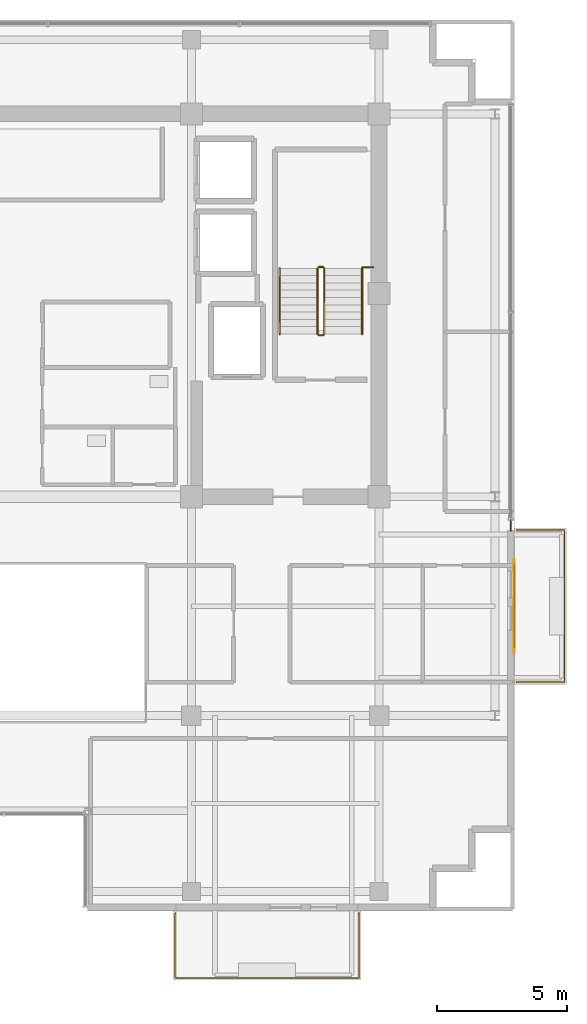
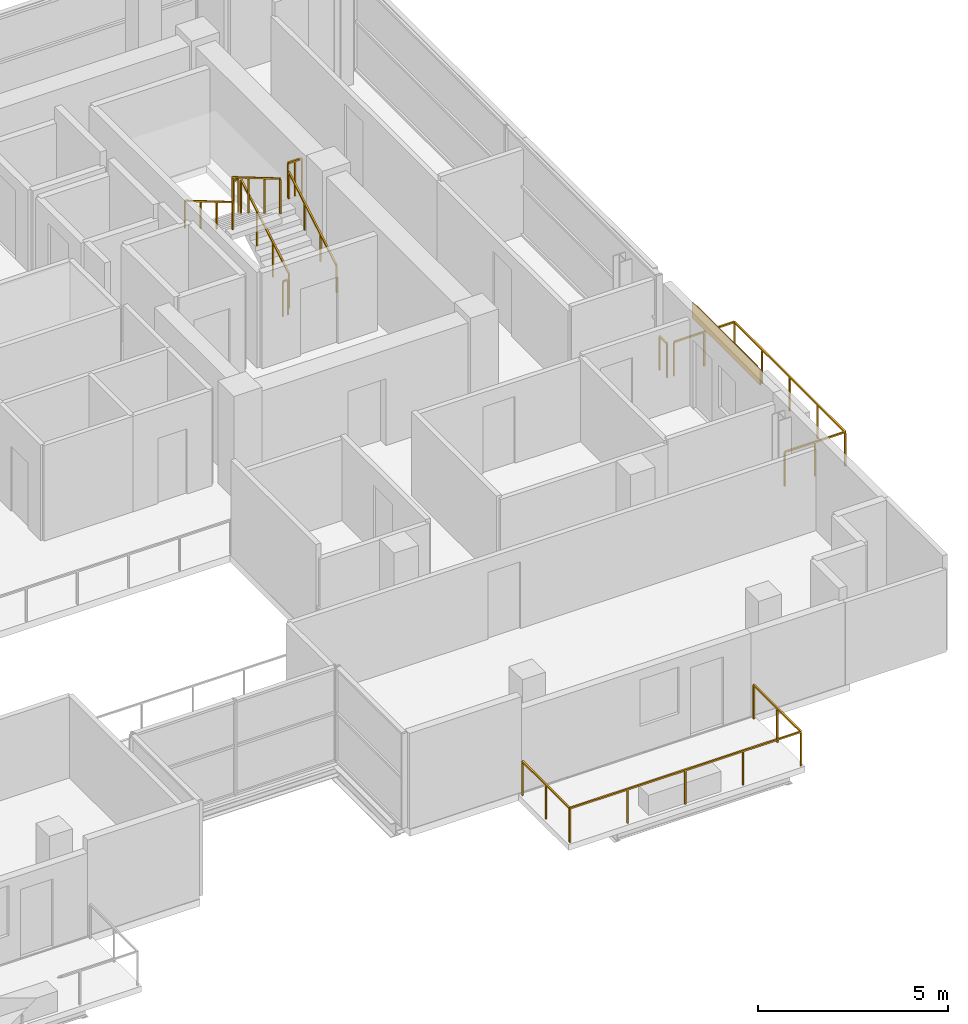
# One storey, part 22 of 23: 10 railings, 1 covering, 1 shading device.
"""IFC4 building model written with IfcOpenShell, lengths in metres."""

from ifc_helpers import new_model, si_unit, direction, frame, origin, origin_2d, place, context, subcontext, project, spatial, rectangle, extrude, source, transform, mapped, material, layer, layer_set, type_object, element, save


model = new_model("IFC4")

# Units and contexts
model_context = context("Model", 3, precision=1e-05, world=origin(), true_north=direction((0.0, 1.0)))
body_context = subcontext(model_context, "Body", "Model", "MODEL_VIEW")
ifc_project = project(units=[si_unit("LENGTHUNIT", "METRE"), si_unit("AREAUNIT", "SQUARE_METRE"), si_unit("VOLUMEUNIT", "CUBIC_METRE"), si_unit("PLANEANGLEUNIT", "RADIAN"), si_unit("MASSUNIT", "GRAM", prefix="KILO")], contexts=[model_context])

# Site, building, storey
site_placement = place(None, origin())
site = spatial("IfcSite", under=ifc_project, at=site_placement, CompositionType="ELEMENT")
building_placement = place(site_placement, origin())
building = spatial("IfcBuilding", under=site, at=building_placement, Name="Zarnakvel Exchange Tower", CompositionType="ELEMENT")
storey_placement = place(building_placement, frame((0.0, 0.0, 212.199951171875)))
storey = spatial("IfcBuildingStorey", under=building, at=storey_placement, Name="L59", CompositionType="ELEMENT", Elevation=212.199951171875)

# Railings
ifc_material_1 = material(Name="Architectural Bronze Anodised Aluminium", Category="aluminium")
railing_type_1 = type_object("IfcRailingType", Name="GR-02", PredefinedType="GUARDRAIL", material=ifc_material_1)
railing_1_placement = place(storey_placement, frame((6.580078125, -17.179931640625, -0.034912109375)))
element("IfcRailing", 1, at=railing_1_placement, inside=storey, type_object=railing_type_1, Name="L59 Balcony Guardrail BAL-L59-SE", PredefinedType="GUARDRAIL", context=body_context, shape_type="SweptSolid", body=[
    extrude(rectangle(XDim=0.048095703125, YDim=0.048095703125, at=origin_2d()), frame((0.0, 0.0, 1.09619140625), z_axis=(0.0, -1.0, 0.0), x_axis=(1.0, 0.0, 0.0)), (0.0, 0.0, 1.0), 2.489990234375),
    extrude(rectangle(XDim=0.048095703125, YDim=0.048095703125, at=origin_2d()), frame((0.0, -2.489990234375, 1.09619140625), z_axis=(1.0, 0.0, 0.0), x_axis=(0.0, 1.0, 0.0)), (0.0, 0.0, 1.0), 7.0400390625),
    extrude(rectangle(XDim=0.048095703125, YDim=0.048095703125, at=origin_2d()), frame((7.0400390625, -2.489990234375, 1.09619140625), z_axis=(0.0, 1.0, 0.0), x_axis=(-1.0, 0.0, 0.0)), (0.0, 0.0, 1.0), 2.489990234375),
    extrude(rectangle(XDim=0.0419921875, YDim=0.0419921875, at=origin_2d()), origin(), (0.0, 0.0, 1.0), 1.072021484375),
    extrude(rectangle(XDim=0.0419921875, YDim=0.0419921875, at=origin_2d()), frame((0.0, -1.2451171875, 0.0)), (0.0, 0.0, 1.0), 1.072021484375),
    extrude(rectangle(XDim=0.0419921875, YDim=0.0419921875, at=origin_2d()), frame((0.0, -2.489990234375, 0.0)), (0.0, 0.0, 1.0), 1.072021484375),
    extrude(rectangle(XDim=0.0419921875, YDim=0.0419921875, at=origin_2d()), frame((1.760009765625, -2.489990234375, 0.0)), (0.0, 0.0, 1.0), 1.072021484375),
    extrude(rectangle(XDim=0.0419921875, YDim=0.0419921875, at=origin_2d()), frame((3.52001953125, -2.489990234375, 0.0)), (0.0, 0.0, 1.0), 1.072021484375),
    extrude(rectangle(XDim=0.0419921875, YDim=0.0419921875, at=origin_2d()), frame((5.280029296875, -2.489990234375, 0.0)), (0.0, 0.0, 1.0), 1.072021484375),
    extrude(rectangle(XDim=0.0419921875, YDim=0.0419921875, at=origin_2d()), frame((7.0400390625, -2.489990234375, 0.0)), (0.0, 0.0, 1.0), 1.072021484375),
    extrude(rectangle(XDim=0.0419921875, YDim=0.0419921875, at=origin_2d()), frame((7.0400390625, -1.2451171875, 0.0)), (0.0, 0.0, 1.0), 1.072021484375),
    extrude(rectangle(XDim=0.0419921875, YDim=0.0419921875, at=origin_2d()), frame((7.0400390625, 0.0, 0.0)), (0.0, 0.0, 1.0), 1.072021484375),
])
railing_2_placement = place(storey_placement, frame((19.679931640625, -8.320068359375, -0.034912109375)))
element("IfcRailing", 2, at=railing_2_placement, inside=storey, type_object=railing_type_1, Name="L59 Balcony Guardrail BAL-L59-E", PredefinedType="GUARDRAIL", context=body_context, shape_type="SweptSolid", body=[
    extrude(rectangle(XDim=0.048095703125, YDim=0.048095703125, at=origin_2d()), frame((0.0, 0.0, 1.09619140625), z_axis=(1.0, 0.0, 0.0), x_axis=(0.0, 1.0, 0.0)), (0.0, 0.0, 1.0), 1.840087890625),
    extrude(rectangle(XDim=0.048095703125, YDim=0.048095703125, at=origin_2d()), frame((1.840087890625, 0.0, 1.09619140625), z_axis=(0.0, 1.0, 0.0), x_axis=(-1.0, 0.0, 0.0)), (0.0, 0.0, 1.0), 5.840087890625),
    extrude(rectangle(XDim=0.048095703125, YDim=0.048095703125, at=origin_2d()), frame((1.840087890625, 5.840087890625, 1.09619140625), z_axis=(-1.0, 0.0, 0.0), x_axis=(0.0, -1.0, 0.0)), (0.0, 0.0, 1.0), 1.840087890625),
    extrude(rectangle(XDim=0.0419921875, YDim=0.0419921875, at=origin_2d()), origin(), (0.0, 0.0, 1.0), 1.072021484375),
    extrude(rectangle(XDim=0.0419921875, YDim=0.0419921875, at=origin_2d()), frame((0.919921875, 0.0, 0.0)), (0.0, 0.0, 1.0), 1.072021484375),
    extrude(rectangle(XDim=0.0419921875, YDim=0.0419921875, at=origin_2d()), frame((1.840087890625, 0.0, 0.0)), (0.0, 0.0, 1.0), 1.072021484375),
    extrude(rectangle(XDim=0.0419921875, YDim=0.0419921875, at=origin_2d()), frame((1.840087890625, 1.4599609375, 0.0)), (0.0, 0.0, 1.0), 1.072021484375),
    extrude(rectangle(XDim=0.0419921875, YDim=0.0419921875, at=origin_2d()), frame((1.840087890625, 2.919921875, 0.0)), (0.0, 0.0, 1.0), 1.072021484375),
    extrude(rectangle(XDim=0.0419921875, YDim=0.0419921875, at=origin_2d()), frame((1.840087890625, 4.380126953125, 0.0)), (0.0, 0.0, 1.0), 1.072021484375),
    extrude(rectangle(XDim=0.0419921875, YDim=0.0419921875, at=origin_2d()), frame((1.840087890625, 5.840087890625, 0.0)), (0.0, 0.0, 1.0), 1.072021484375),
    extrude(rectangle(XDim=0.0419921875, YDim=0.0419921875, at=origin_2d()), frame((0.919921875, 5.840087890625, 0.0)), (0.0, 0.0, 1.0), 1.072021484375),
    extrude(rectangle(XDim=0.0419921875, YDim=0.0419921875, at=origin_2d()), frame((0.0, 5.840087890625, 0.0)), (0.0, 0.0, 1.0), 1.072021484375),
])
railing_3_placement = place(storey_placement, frame((19.4599609375, -2.10009765625, 0.0)))
element("IfcRailing", 3, at=railing_3_placement, inside=storey, type_object=railing_type_1, Name="L59 Corner Spandrel Balustrade #9", PredefinedType="GUARDRAIL", context=body_context, shape_type="SweptSolid", body=[
    extrude(rectangle(XDim=0.048095703125, YDim=0.048095703125, at=origin_2d()), frame((0.0, 0.0, 1.09619140625), z_axis=(0.0, -1.0, 0.0), x_axis=(1.0, 0.0, 0.0)), (0.0, 0.0, 1.0), 0.39990234375),
    extrude(rectangle(XDim=0.0419921875, YDim=0.0419921875, at=origin_2d()), origin(), (0.0, 0.0, 1.0), 1.072021484375),
    extrude(rectangle(XDim=0.0419921875, YDim=0.0419921875, at=origin_2d()), frame((0.0, -0.39990234375, 0.0)), (0.0, 0.0, 1.0), 1.072021484375),
])
ifc_material_2 = material(Name="Brushed Stainless Steel", Category="steel")
railing_type_2 = type_object("IfcRailingType", Name="HR-01", PredefinedType="HANDRAIL", material=ifc_material_2)
railing_4_placement = place(storey_placement, frame((13.75, 5.050048828125, 0.1650390625)))
element("IfcRailing", 4, at=railing_4_placement, inside=storey, type_object=railing_type_2, Name="L59 ST-02 stair handrail 1", PredefinedType="HANDRAIL", context=body_context, shape_type="SweptSolid", body=[
    extrude(rectangle(XDim=0.048095703125, YDim=0.048095703125, at=origin_2d()), frame((0.0, 0.0, 0.8759765625), z_axis=(0.0, 0.86152411907, 0.507716645641), x_axis=(-1.0, 0.0, 0.0)), (0.0, 0.0, 1.0), 2.925048828125),
    extrude(rectangle(XDim=0.0419921875, YDim=0.0419921875, at=origin_2d()), origin(), (0.0, 0.0, 1.0), 0.851806640625),
    extrude(rectangle(XDim=0.0419921875, YDim=0.0419921875, at=origin_2d()), frame((0.0, 0.840087890625, 0.4951171875)), (0.0, 0.0, 1.0), 0.851806640625),
    extrude(rectangle(XDim=0.0419921875, YDim=0.0419921875, at=origin_2d()), frame((0.0, 1.679931640625, 0.989990234375)), (0.0, 0.0, 1.0), 0.851806640625),
    extrude(rectangle(XDim=0.0419921875, YDim=0.0419921875, at=origin_2d()), frame((0.0, 2.52001953125, 1.485107421875)), (0.0, 0.0, 1.0), 0.851806640625),
])
railing_5_placement = place(storey_placement, frame((10.590087890625, 7.570068359375, 1.81494140625)))
element("IfcRailing", 5, at=railing_5_placement, inside=storey, type_object=railing_type_2, Name="L59 ST-02 stair handrail 2", PredefinedType="HANDRAIL", context=body_context, shape_type="SweptSolid", body=[
    extrude(rectangle(XDim=0.048095703125, YDim=0.048095703125, at=origin_2d()), frame((0.0, 0.0, 0.8759765625), z_axis=(0.0, -0.86152411907, 0.507716645641), x_axis=(1.0, 0.0, 0.0)), (0.0, 0.0, 1.0), 2.925048828125),
    extrude(rectangle(XDim=0.0419921875, YDim=0.0419921875, at=origin_2d()), origin(), (0.0, 0.0, 1.0), 0.851806640625),
    extrude(rectangle(XDim=0.0419921875, YDim=0.0419921875, at=origin_2d()), frame((0.0, -0.840087890625, 0.4951171875)), (0.0, 0.0, 1.0), 0.851806640625),
    extrude(rectangle(XDim=0.0419921875, YDim=0.0419921875, at=origin_2d()), frame((0.0, -1.679931640625, 0.989990234375)), (0.0, 0.0, 1.0), 0.851806640625),
    extrude(rectangle(XDim=0.0419921875, YDim=0.0419921875, at=origin_2d()), frame((0.0, -2.52001953125, 1.485107421875)), (0.0, 0.0, 1.0), 0.851806640625),
])
railing_type_3 = type_object("IfcRailingType", Name="SG-01", PredefinedType="GUARDRAIL", material=ifc_material_1)
railing_6_placement = place(storey_placement, frame((12.300048828125, 5.050048828125, 0.1650390625)))
element("IfcRailing", 6, at=railing_6_placement, inside=storey, type_object=railing_type_3, Name="L59 ST-02 stair guard 1", PredefinedType="GUARDRAIL", context=body_context, shape_type="SweptSolid", body=[
    extrude(rectangle(XDim=0.048095703125, YDim=0.048095703125, at=origin_2d()), frame((0.0, 0.0, 1.1259765625), z_axis=(0.0, 0.86152411907, 0.507716645641), x_axis=(-1.0, 0.0, 0.0)), (0.0, 0.0, 1.0), 2.925048828125),
    extrude(rectangle(XDim=0.0419921875, YDim=0.0419921875, at=origin_2d()), origin(), (0.0, 0.0, 1.0), 1.101806640625),
    extrude(rectangle(XDim=0.0419921875, YDim=0.0419921875, at=origin_2d()), frame((0.0, 0.840087890625, 0.4951171875)), (0.0, 0.0, 1.0), 1.101806640625),
    extrude(rectangle(XDim=0.0419921875, YDim=0.0419921875, at=origin_2d()), frame((0.0, 1.679931640625, 0.989990234375)), (0.0, 0.0, 1.0), 1.101806640625),
    extrude(rectangle(XDim=0.0419921875, YDim=0.0419921875, at=origin_2d()), frame((0.0, 2.52001953125, 1.485107421875)), (0.0, 0.0, 1.0), 1.101806640625),
])
railing_7_placement = place(storey_placement, frame((12.25, 7.6201171875, 1.650146484375)))
element("IfcRailing", 7, at=railing_7_placement, inside=storey, type_object=railing_type_3, Name="L59 ST-02 stair guard 2", PredefinedType="GUARDRAIL", context=body_context, shape_type="SweptSolid", body=[
    extrude(rectangle(XDim=0.048095703125, YDim=0.048095703125, at=origin_2d()), frame((0.0, 0.0, 1.1259765625), z_axis=(-1.0, 0.0, 0.0), x_axis=(0.0, -1.0, 0.0)), (0.0, 0.0, 1.0), 0.159912109375),
    extrude(rectangle(XDim=0.0419921875, YDim=0.0419921875, at=origin_2d()), origin(), (0.0, 0.0, 1.0), 1.101806640625),
    extrude(rectangle(XDim=0.0419921875, YDim=0.0419921875, at=origin_2d()), frame((-0.159912109375, 0.0, 0.0)), (0.0, 0.0, 1.0), 1.101806640625),
])
railing_8_placement = place(storey_placement, frame((12.0400390625, 7.570068359375, 1.81494140625)))
element("IfcRailing", 8, at=railing_8_placement, inside=storey, type_object=railing_type_3, Name="L59 ST-02 stair guard 3", PredefinedType="GUARDRAIL", context=body_context, shape_type="SweptSolid", body=[
    extrude(rectangle(XDim=0.048095703125, YDim=0.048095703125, at=origin_2d()), frame((0.0, 0.0, 1.1259765625), z_axis=(0.0, -0.86152411907, 0.507716645641), x_axis=(1.0, 0.0, 0.0)), (0.0, 0.0, 1.0), 2.925048828125),
    extrude(rectangle(XDim=0.0419921875, YDim=0.0419921875, at=origin_2d()), origin(), (0.0, 0.0, 1.0), 1.101806640625),
    extrude(rectangle(XDim=0.0419921875, YDim=0.0419921875, at=origin_2d()), frame((0.0, -0.840087890625, 0.4951171875)), (0.0, 0.0, 1.0), 1.101806640625),
    extrude(rectangle(XDim=0.0419921875, YDim=0.0419921875, at=origin_2d()), frame((0.0, -1.679931640625, 0.989990234375)), (0.0, 0.0, 1.0), 1.101806640625),
    extrude(rectangle(XDim=0.0419921875, YDim=0.0419921875, at=origin_2d()), frame((0.0, -2.52001953125, 1.485107421875)), (0.0, 0.0, 1.0), 1.101806640625),
])
railing_9_placement = place(storey_placement, frame((12.25, 5.0, 0.0)))
element("IfcRailing", 9, at=railing_9_placement, inside=storey, type_object=railing_type_3, Name="L59 ST-02 stair guard 4", PredefinedType="GUARDRAIL", context=body_context, shape_type="SweptSolid", body=[
    extrude(rectangle(XDim=0.048095703125, YDim=0.048095703125, at=origin_2d()), frame((0.0, 0.0, 1.1259765625), z_axis=(-1.0, 0.0, 0.0), x_axis=(0.0, -1.0, 0.0)), (0.0, 0.0, 1.0), 0.159912109375),
    extrude(rectangle(XDim=0.0419921875, YDim=0.0419921875, at=origin_2d()), origin(), (0.0, 0.0, 1.0), 1.101806640625),
    extrude(rectangle(XDim=0.0419921875, YDim=0.0419921875, at=origin_2d()), frame((-0.159912109375, 0.0, 0.0)), (0.0, 0.0, 1.0), 1.101806640625),
])
railing_10_placement = place(storey_placement, frame((13.75, 7.610107421875, 1.650146484375)))
element("IfcRailing", 10, at=railing_10_placement, inside=storey, type_object=railing_type_3, Name="L59 ST-02 Landing Slot Guardrail", PredefinedType="GUARDRAIL", context=body_context, shape_type="SweptSolid", body=[
    extrude(rectangle(XDim=0.048095703125, YDim=0.048095703125, at=origin_2d()), frame((0.0, 0.0, 1.1259765625), z_axis=(1.0, 0.0, 0.0), x_axis=(0.0, 1.0, 0.0)), (0.0, 0.0, 1.0), 0.429931640625),
    extrude(rectangle(XDim=0.0419921875, YDim=0.0419921875, at=origin_2d()), origin(), (0.0, 0.0, 1.0), 1.101806640625),
    extrude(rectangle(XDim=0.0419921875, YDim=0.0419921875, at=origin_2d()), frame((0.21484375, 0.0, 0.0)), (0.0, 0.0, 1.0), 1.101806640625),
    extrude(rectangle(XDim=0.0419921875, YDim=0.0419921875, at=origin_2d()), frame((0.429931640625, 0.0, 0.0)), (0.0, 0.0, 1.0), 1.101806640625),
])

# Shading device
ifc_material_3 = material(Name="Perforated Architectural Bronze Screen", Category="aluminium")
ifc_layer_1 = layer(ifc_material_3, 0.044921875)
ifc_layer_set_1 = layer_set([ifc_layer_1], Name="Perforated Architectural Bronze Screen")
shading_device_type = type_object("IfcShadingDeviceType", Name="SS-01", PredefinedType="JALOUSIE", material=ifc_layer_set_1)
shared_shape_1 = source(origin(), body_context, "Body", "SweptSolid", [
    extrude(rectangle(XDim=3.199951171875, YDim=0.044921875, at=origin_2d()), origin(), (0.0, 0.0, 1.0), 0.4951171875),
])
shading_device_placement = place(storey_placement, frame((19.6005859375, -5.39990234375, 2.56005859375), z_axis=(0.0, 0.0, 1.0), x_axis=(0.0, -1.0, 0.0)))
element("IfcShadingDevice", 11, at=shading_device_placement, inside=storey, type_object=shading_device_type, Name="L59 Bronze Solar Shading Screen SS-01", PredefinedType="JALOUSIE", context=body_context, shape_type="MappedRepresentation", body=[
    mapped(shared_shape_1, transform((0.0, 0.0, 0.0), x_axis=(1.0, 0.0, 0.0), y_axis=(0.0, 1.0, 0.0), z_axis=(0.0, 0.0, 1.0), scale=1.0)),
])

# Covering
ifc_material_4 = material(Name="Glazed Turquoise Ceramic Architectural Tile", Category="ceramic")
ifc_layer_2 = layer(ifc_material_4, 0.028076171875)
ifc_layer_set_2 = layer_set([ifc_layer_2], Name="Glazed Turquoise Ceramic Architectural Tile")
covering_type = type_object("IfcCoveringType", Name="CL-01", PredefinedType="CLADDING", material=ifc_layer_set_2)
shared_shape_2 = source(origin(), body_context, "Body", "SweptSolid", [
    extrude(rectangle(XDim=3.60009765625, YDim=0.028076171875, at=origin_2d()), origin(), (0.0, 0.0, 1.0), 0.4951171875),
])
covering_placement = place(storey_placement, frame((19.592041015625, -5.39990234375, 2.56005859375), z_axis=(0.0, 0.0, 1.0), x_axis=(0.0, -1.0, 0.0)))
element("IfcCovering", 12, at=covering_placement, inside=storey, type_object=covering_type, Name="L59 Ceramic Spandrel Tilework CL-01", PredefinedType="CLADDING", context=body_context, shape_type="MappedRepresentation", body=[
    mapped(shared_shape_2, transform((0.0, 0.0, 0.0), x_axis=(1.0, 0.0, 0.0), y_axis=(0.0, 1.0, 0.0), z_axis=(0.0, 0.0, 1.0), scale=1.0)),
])

save(model, "model.ifc")
